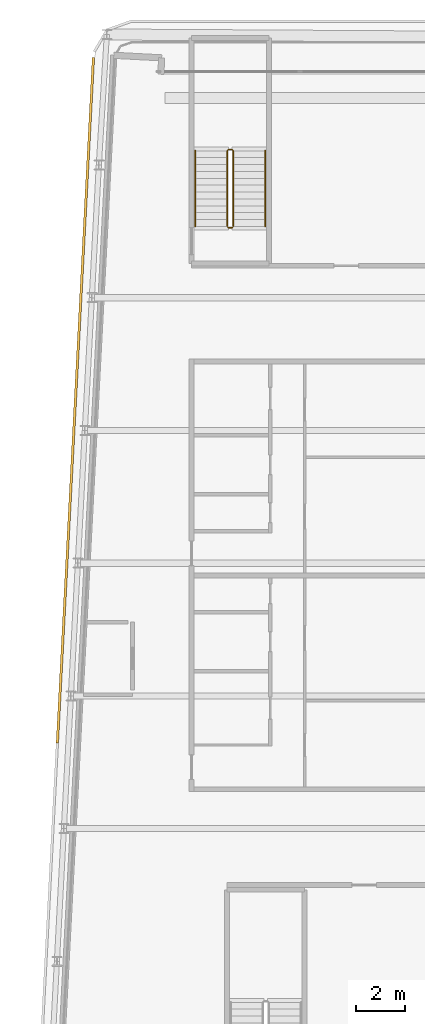
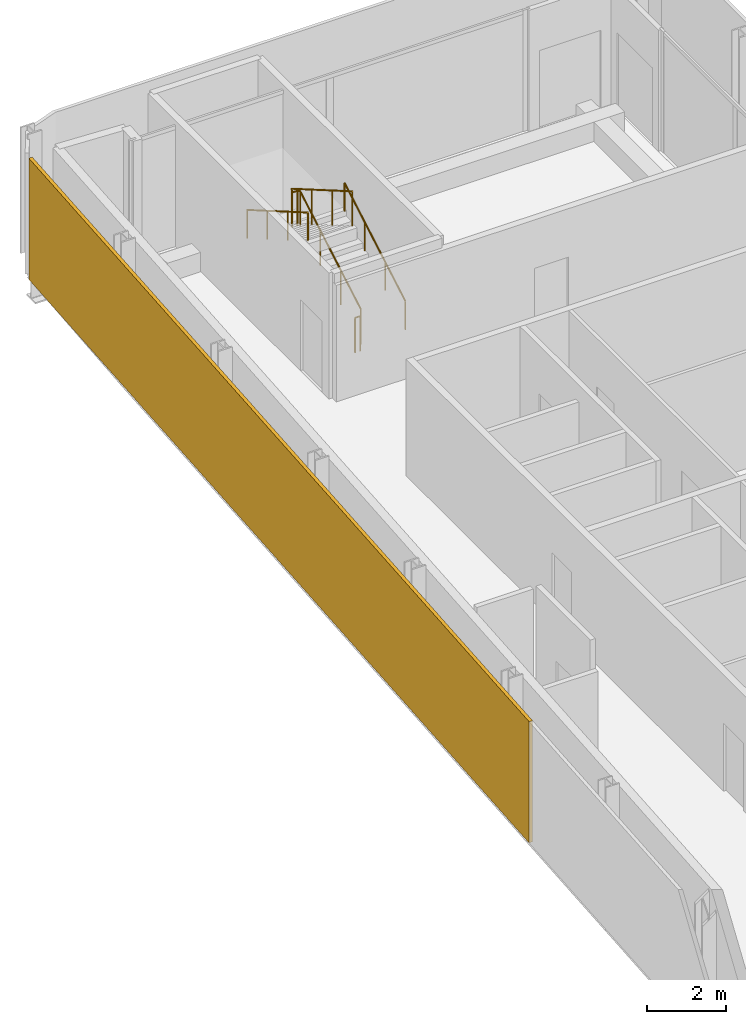
# One storey, part 20 of 21: 4 railings, 1 shading device.
"""IFC4 building model written with IfcOpenShell, lengths in metres."""

from ifc_helpers import new_model, si_unit, direction, frame, origin, origin_2d, place, context, subcontext, project, spatial, rectangle, circle, extrude, material, layer, layer_set, type_object, element, save


model = new_model("IFC4")

# Units and contexts
model_context = context("Model", 3, precision=1e-05, world=origin(), true_north=direction((0.0, 1.0)))
body_context = subcontext(model_context, "Body", "Model", "MODEL_VIEW")
ifc_project = project(units=[si_unit("LENGTHUNIT", "METRE"), si_unit("AREAUNIT", "SQUARE_METRE"), si_unit("VOLUMEUNIT", "CUBIC_METRE"), si_unit("PLANEANGLEUNIT", "RADIAN"), si_unit("MASSUNIT", "GRAM", prefix="KILO")], contexts=[model_context])

# Site, building, storey
site_placement = place(None, origin())
site = spatial("IfcSite", under=ifc_project, at=site_placement, CompositionType="ELEMENT")
building_placement = place(site_placement, origin())
building = spatial("IfcBuilding", under=site, at=building_placement, Name="Kheshtan School and Residences Tower", CompositionType="ELEMENT")
storey_placement = place(building_placement, frame((0.0, 0.0, 224.0)))
storey = spatial("IfcBuildingStorey", under=building, at=storey_placement, Name="L52", CompositionType="ELEMENT", Elevation=224.0)

# Shading device
ifc_material_1 = material(Name="Terracotta baguette, extruded ceramic", Category="masonry")
ifc_layer = layer(ifc_material_1, 0.10009765625)
ifc_layer_set = layer_set([ifc_layer], Name="Ledge screen, terracotta baguettes")
shading_device_type = type_object("IfcShadingDeviceType", Name="Ledge screen, terracotta baguettes", PredefinedType="USERDEFINED", material=ifc_layer_set)
shading_device_placement = place(storey_placement, frame((28.572998046875, 73.833984375, 0.0), z_axis=(0.0, 0.0, 1.0), x_axis=(0.052562536748, 0.998617634398, 0.0)))
element("IfcShadingDevice", 1, at=shading_device_placement, inside=storey, type_object=shading_device_type, Name="Screen L52 5", ObjectType="BAGUETTE", PredefinedType="USERDEFINED", context=body_context, shape_type="SweptSolid", body=[
    extrude(rectangle(XDim=27.93408203125, YDim=0.10009765625, at=origin_2d()), origin(), (0.0, 0.0, 1.0), 3.75),
])

# Railings
ifc_material_2 = material(Name="Stainless steel balustrade", Category="steel")
railing_type_1 = type_object("IfcRailingType", Name="Stair guard 1100", PredefinedType="GUARDRAIL", material=ifc_material_2)
railing_1_placement = place(storey_placement, frame((35.0, 80.89990234375, 0.16259765625)))
element("IfcRailing", 2, at=railing_1_placement, inside=storey, type_object=railing_type_1, Name="L52 ST3 stair guard 1", PredefinedType="GUARDRAIL", context=body_context, shape_type="SweptSolid", body=[
    extrude(circle(Radius=0.02392578125, at=origin_2d()), frame((0.0, 0.0, 1.076171875), z_axis=(0.0, 0.864920483161, 0.501908913857), x_axis=(-1.0, 0.0, 0.0)), (0.0, 0.0, 1.0), 3.56103515625),
    extrude(circle(Radius=0.02392578125, at=origin_2d()), frame((0.0, 3.080078125, 2.86328125), z_axis=(-0.707106781187, 0.707106781187, 0.0), x_axis=(-0.707106781187, -0.707106781187, 0.0)), (0.0, 0.0, 1.0), 0.07080078125),
    extrude(circle(Radius=0.02392578125, at=origin_2d()), frame((-0.050048828125, 3.130126953125, 2.86328125), z_axis=(-1.0, 0.0, 0.0), x_axis=(0.0, -1.0, 0.0)), (0.0, 0.0, 1.0), 0.14990234375),
    extrude(circle(Radius=0.02392578125, at=origin_2d()), frame((-0.199951171875, 3.130126953125, 2.86328125), z_axis=(-0.282227285176, -0.282227285176, 0.916894497205), x_axis=(0.707106781187, -0.707106781187, 0.0)), (0.0, 0.0, 1.0), 0.17724609375),
    extrude(circle(Radius=0.02392578125, at=origin_2d()), frame((-0.25, 3.080078125, 3.02587890625), z_axis=(0.0, -0.864920483161, 0.501908913857), x_axis=(1.0, 0.0, 0.0)), (0.0, 0.0, 1.0), 3.56103515625),
    extrude(circle(Radius=0.02099609375, at=origin_2d()), origin(), (0.0, 0.0, 1.0), 1.052001953125),
    extrude(circle(Radius=0.02099609375, at=origin_2d()), frame((0.0, 1.026611328125, 0.595703125)), (0.0, 0.0, 1.0), 1.052001953125),
    extrude(circle(Radius=0.02099609375, at=origin_2d()), frame((0.0, 2.053466796875, 1.191650390625)), (0.0, 0.0, 1.0), 1.052001953125),
    extrude(circle(Radius=0.02099609375, at=origin_2d()), frame((0.0, 3.080078125, 1.787353515625)), (0.0, 0.0, 1.0), 1.052001953125),
    extrude(circle(Radius=0.02099609375, at=origin_2d()), frame((-0.050048828125, 3.130126953125, 1.787353515625)), (0.0, 0.0, 1.0), 1.052001953125),
    extrude(circle(Radius=0.02099609375, at=origin_2d()), frame((-0.199951171875, 3.130126953125, 1.787353515625)), (0.0, 0.0, 1.0), 1.052001953125),
    extrude(circle(Radius=0.02099609375, at=origin_2d()), frame((-0.25, 3.080078125, 1.949951171875)), (0.0, 0.0, 1.0), 1.052001953125),
    extrude(circle(Radius=0.02099609375, at=origin_2d()), frame((-0.25, 2.053466796875, 2.545654296875)), (0.0, 0.0, 1.0), 1.052001953125),
    extrude(circle(Radius=0.02099609375, at=origin_2d()), frame((-0.25, 1.026611328125, 3.1416015625)), (0.0, 0.0, 1.0), 1.052001953125),
    extrude(circle(Radius=0.02099609375, at=origin_2d()), frame((-0.25, 0.0, 3.7373046875)), (0.0, 0.0, 1.0), 1.052001953125),
])
railing_2_placement = place(storey_placement, frame((34.949951171875, 80.85009765625, 0.0)))
element("IfcRailing", 3, at=railing_2_placement, inside=storey, type_object=railing_type_1, Name="L52 ST3 stair guard 2", PredefinedType="GUARDRAIL", context=body_context, shape_type="SweptSolid", body=[
    extrude(circle(Radius=0.02392578125, at=origin_2d()), frame((0.0, 0.0, 1.076171875), z_axis=(-1.0, 0.0, 0.0), x_axis=(0.0, -1.0, 0.0)), (0.0, 0.0, 1.0), 0.14990234375),
    extrude(circle(Radius=0.02099609375, at=origin_2d()), origin(), (0.0, 0.0, 1.0), 1.052001953125),
    extrude(circle(Radius=0.02099609375, at=origin_2d()), frame((-0.14990234375, 0.0, 0.0)), (0.0, 0.0, 1.0), 1.052001953125),
])
ifc_material_3 = material(Name="Stainless steel handrail", Category="steel")
railing_type_2 = type_object("IfcRailingType", Name="Stair handrail 900", PredefinedType="HANDRAIL", material=ifc_material_3)
railing_3_placement = place(storey_placement, frame((36.300048828125, 80.89990234375, 0.16259765625)))
element("IfcRailing", 4, at=railing_3_placement, inside=storey, type_object=railing_type_2, Name="L52 ST3 stair handrail 1", PredefinedType="HANDRAIL", context=body_context, shape_type="SweptSolid", body=[
    extrude(circle(Radius=0.02392578125, at=origin_2d()), frame((0.0, 0.0, 0.8759765625), z_axis=(0.0, 0.864920483161, 0.501908913857), x_axis=(-1.0, 0.0, 0.0)), (0.0, 0.0, 1.0), 3.56103515625),
    extrude(circle(Radius=0.02099609375, at=origin_2d()), origin(), (0.0, 0.0, 1.0), 0.851806640625),
    extrude(circle(Radius=0.02099609375, at=origin_2d()), frame((0.0, 1.026611328125, 0.595703125)), (0.0, 0.0, 1.0), 0.851806640625),
    extrude(circle(Radius=0.02099609375, at=origin_2d()), frame((0.0, 2.053466796875, 1.191650390625)), (0.0, 0.0, 1.0), 0.851806640625),
    extrude(circle(Radius=0.02099609375, at=origin_2d()), frame((0.0, 3.080078125, 1.787353515625)), (0.0, 0.0, 1.0), 0.851806640625),
])
railing_4_placement = place(storey_placement, frame((33.449951171875, 83.97998046875, 2.112548828125)))
element("IfcRailing", 5, at=railing_4_placement, inside=storey, type_object=railing_type_2, Name="L52 ST3 stair handrail 2", PredefinedType="HANDRAIL", context=body_context, shape_type="SweptSolid", body=[
    extrude(circle(Radius=0.02392578125, at=origin_2d()), frame((0.0, 0.0, 0.8759765625), z_axis=(0.0, -0.864920483161, 0.501908913857), x_axis=(1.0, 0.0, 0.0)), (0.0, 0.0, 1.0), 3.56103515625),
    extrude(circle(Radius=0.02099609375, at=origin_2d()), origin(), (0.0, 0.0, 1.0), 0.851806640625),
    extrude(circle(Radius=0.02099609375, at=origin_2d()), frame((0.0, -1.026611328125, 0.595703125)), (0.0, 0.0, 1.0), 0.851806640625),
    extrude(circle(Radius=0.02099609375, at=origin_2d()), frame((0.0, -2.053466796875, 1.191650390625)), (0.0, 0.0, 1.0), 0.851806640625),
    extrude(circle(Radius=0.02099609375, at=origin_2d()), frame((0.0, -3.080078125, 1.787353515625)), (0.0, 0.0, 1.0), 0.851806640625),
])

save(model, "model.ifc")
